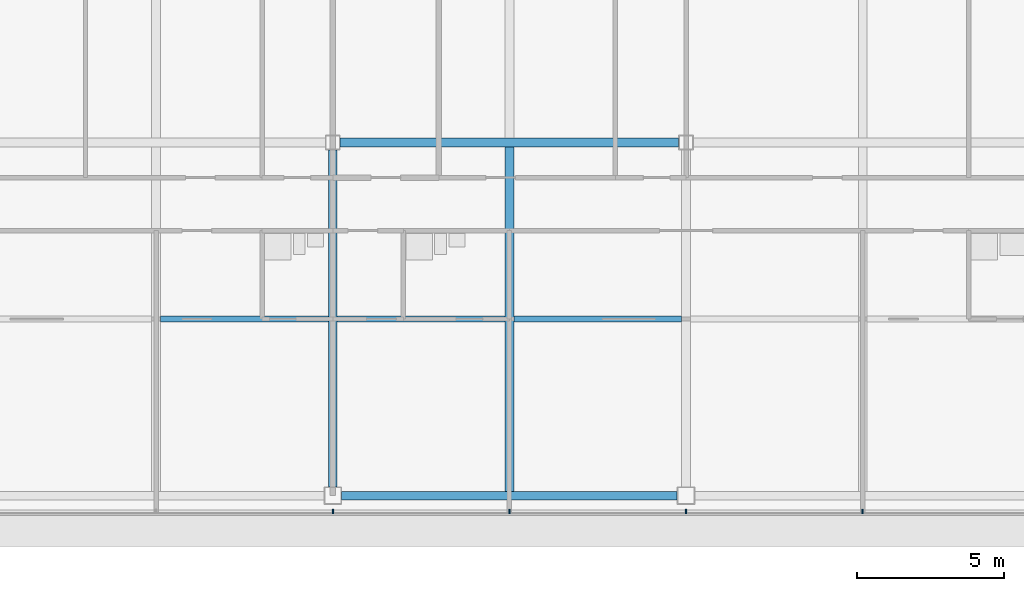
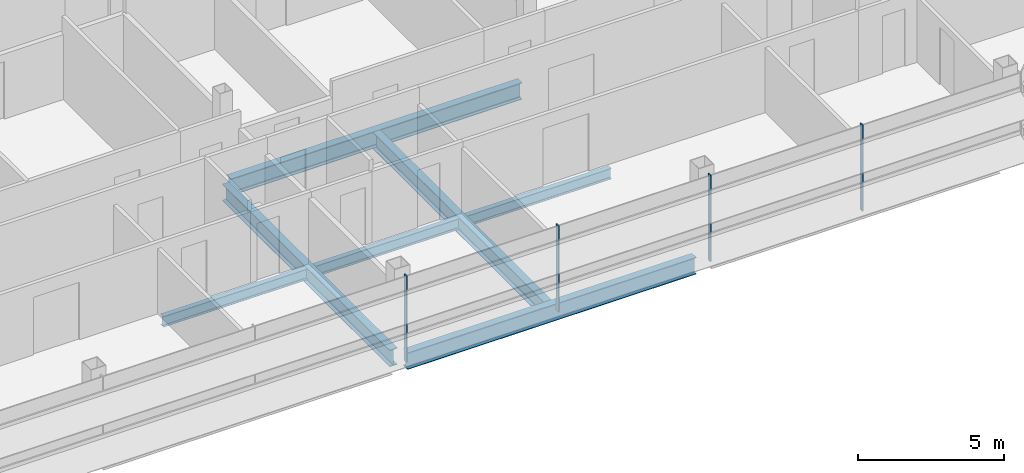
# One storey, part 9 of 28: 7 beams, 4 members, 1 element without a shape of its own.
"""IFC4 building model written with IfcOpenShell, lengths in metres."""

import ifcopenshell
import ifcopenshell.guid

model = None  # the IFC model being written
_history = None  # IfcOwnerHistory: only IFC2X3 demands one
_inside = {}  # id of a spatial element -> (the spatial element, [elements in it])
_under = {}  # id of a project, library or spatial element -> (it, [spatial elements below it])
_declared = {}  # id of a project -> (the project, [libraries it declares])
_typed = {}  # id of a type object -> (the type object, [elements of that type])
_made_of = {}  # id of a material, layer set ... -> (it, [elements and type objects made of it])


def new_model(schema):
    """Start an empty IFC model of exactly this schema.

    Asked for "IFC4X3", IfcOpenShell would pick the latest addendum, in which some entities
    have other attributes; the version numbers below select the first issue.
    IFC2X3 requires an IfcOwnerHistory on every rooted entity: one is made here for all.
    """
    global model, _history
    if schema == "IFC4X3":
        model = ifcopenshell.file(schema_version=(4, 3, 0, 0))
    else:
        model = ifcopenshell.file(schema=schema)
    _inside.clear()
    _under.clear()
    _declared.clear()
    _typed.clear()
    _made_of.clear()
    _history = None
    if model.schema == "IFC2X3":
        org = make("IfcOrganization", Name="unknown")
        user = make(
            "IfcPersonAndOrganization",
            ThePerson=make("IfcPerson", FamilyName="unknown"),
            TheOrganization=org,
        )
        app = make(
            "IfcApplication",
            ApplicationDeveloper=org,
            Version="unknown",
            ApplicationFullName="unknown",
            ApplicationIdentifier="unknown",
        )
        _history = make(
            "IfcOwnerHistory",
            OwningUser=user,
            OwningApplication=app,
            ChangeAction="ADDED",
            CreationDate=0,
        )
    return model


def make(cls, **values):
    """One entity of the class cls with the attributes given. An attribute that is None is left unset."""
    return model.create_entity(
        cls, **{name: value for name, value in values.items() if value is not None}
    )


def rooted(cls, **values):
    """An entity with a GlobalId (a new one), such as an element, a storey or a relation."""
    return make(cls, GlobalId=ifcopenshell.guid.new(), OwnerHistory=_history, **values)


def si_unit(unit_type, name, prefix=None):
    """IfcSIUnit, for example si_unit("LENGTHUNIT", "METRE", prefix="MILLI")."""
    return make("IfcSIUnit", UnitType=unit_type, Prefix=prefix, Name=name)


def assignment(units):
    """IfcUnitAssignment: the units of a project."""
    return None if units is None else make("IfcUnitAssignment", Units=units)


def point(xyz):
    """IfcCartesianPoint."""
    return None if xyz is None else make("IfcCartesianPoint", Coordinates=xyz)


def direction(xyz):
    """IfcDirection."""
    return None if xyz is None else make("IfcDirection", DirectionRatios=xyz)


def frame(location, z_axis=None, x_axis=None):
    """IfcAxis2Placement3D, a coordinate frame: its origin and axes. An axis left out is left unset."""
    return make(
        "IfcAxis2Placement3D",
        Location=point(location),
        Axis=direction(z_axis),
        RefDirection=direction(x_axis),
    )


def frame_2d(location, x_axis=None):
    """IfcAxis2Placement2D, a coordinate frame in the plane: its origin and x axis."""
    return make(
        "IfcAxis2Placement2D", Location=point(location), RefDirection=direction(x_axis)
    )


def origin():
    """The frame at (0, 0, 0) with its axes left unset."""
    return frame((0.0, 0.0, 0.0))


def origin_2d():
    """The frame at (0, 0) in the plane with its x axis left unset."""
    return frame_2d((0.0, 0.0))


def place(relative_to, where):
    """IfcLocalPlacement: puts the frame where relative to a parent placement (None: the world)."""
    return make(
        "IfcLocalPlacement", PlacementRelTo=relative_to, RelativePlacement=where
    )


def context(
    kind, dimensions, precision=None, world=None, true_north=None, identifier=None
):
    """IfcGeometricRepresentationContext, for example the 3D "Model" context."""
    return make(
        "IfcGeometricRepresentationContext",
        ContextIdentifier=identifier,
        ContextType=kind,
        CoordinateSpaceDimension=dimensions,
        Precision=precision,
        WorldCoordinateSystem=world,
        TrueNorth=true_north,
    )


def subcontext(parent, identifier, kind, view, scale=None):
    """IfcGeometricRepresentationSubContext, for example "Body" below "Model"."""
    return make(
        "IfcGeometricRepresentationSubContext",
        ContextIdentifier=identifier,
        ContextType=kind,
        ParentContext=parent,
        TargetScale=scale,
        TargetView=view,
    )


def project(units=None, contexts=None):
    """IfcProject with its units and contexts."""
    return rooted(
        "IfcProject",
        Name="project",
        RepresentationContexts=contexts,
        UnitsInContext=assignment(units),
    )


def spatial(cls, under=None, at=None, **own):
    """A site, building, storey or space (cls), placed at a placement, below another one or the project."""
    s = rooted(cls, ObjectPlacement=at, **own)
    if under is not None:
        _under.setdefault(under.id(), (under, []))[1].append(s)
    return s


def profile(cls, at=None, kind="AREA", **sizes):
    """A parametric profile (cls). Its sizes go by their IFC names, for example OverallWidth=200.0."""
    return make(cls, ProfileType=kind, Position=at, **sizes)


def rectangle(**sizes):
    """IfcRectangleProfileDef."""
    return profile("IfcRectangleProfileDef", **sizes)


def i_section(**sizes):
    """IfcIShapeProfileDef."""
    return profile("IfcIShapeProfileDef", **sizes)


def extrude(swept, where, along, depth):
    """IfcExtrudedAreaSolid: the profile swept, set in the frame where, extruded along a direction by depth."""
    return make(
        "IfcExtrudedAreaSolid",
        SweptArea=swept,
        Position=where,
        ExtrudedDirection=direction(along),
        Depth=depth,
    )


def shape(context_of_items, identifier, shape_type, items):
    """IfcShapeRepresentation: the items that make up one representation, for example the "Body"."""
    return make(
        "IfcShapeRepresentation",
        ContextOfItems=context_of_items,
        RepresentationIdentifier=identifier,
        RepresentationType=shape_type,
        Items=items,
    )


def material(Name=None, Category=None):
    """IfcMaterial."""
    return make("IfcMaterial", Name=Name, Category=Category)


def material_profile(
    of_material, cross_section, Name=None, Category=None, Priority=None
):
    """IfcMaterialProfile: a cross section and its material."""
    return make(
        "IfcMaterialProfile",
        Name=Name,
        Material=of_material,
        Profile=cross_section,
        Priority=Priority,
        Category=Category,
    )


def profile_set(profiles, Name=None, composite=None):
    """IfcMaterialProfileSet."""
    return make(
        "IfcMaterialProfileSet",
        Name=Name,
        MaterialProfiles=profiles,
        CompositeProfile=composite,
    )


def made_of(thing, what):
    """Note that an element or type object is made of a material, layer set ...; save() writes the relation."""
    if what is not None:
        _made_of.setdefault(what.id(), (what, []))[1].append(thing)
    return thing


def type_object(cls, material=None, **own):
    """A type object (cls), such as IfcWallType, which elements share."""
    return made_of(rooted(cls, **own), material)


def element(
    cls,
    number,
    at=None,
    inside=None,
    cuts=None,
    type_object=None,
    material=None,
    context=None,
    identifier="Body",
    shape_type=None,
    held_by="IfcProductDefinitionShape",
    body=None,
    shapes=None,
    **own,
):
    """One element of the class cls, such as IfcWall. Its Tag is "e" and its number.

    at: its placement. inside: the storey or other place that contains it. cuts: it is an
    opening in that element (IfcRelVoidsElement). A single representation is given by context,
    identifier, shape_type and body (its items); several are given by shapes. held_by: the class
    of the entity that holds the representations. save() writes the other relations.
    """
    e = rooted(cls, Tag="e%d" % number, ObjectPlacement=at, **own)
    if body is not None:
        shapes = [shape(context, identifier, shape_type, body)]
    if shapes is not None:
        e.Representation = make(held_by, Representations=shapes)
    if inside is not None:
        _inside.setdefault(inside.id(), (inside, []))[1].append(e)
    if cuts is not None:
        rooted(
            "IfcRelVoidsElement", RelatingBuildingElement=cuts, RelatedOpeningElement=e
        )
    if type_object is not None:
        _typed.setdefault(type_object.id(), (type_object, []))[1].append(e)
    return made_of(e, material)


def aggregate(whole, parts):
    """IfcRelAggregates: a whole, such as a stair, and the parts it consists of."""
    return rooted("IfcRelAggregates", RelatingObject=whole, RelatedObjects=parts)


def save(model, path):
    """Write the relations noted so far, then the file.

    IfcRelAggregates (storeys below a building ...), IfcRelContainedInSpatialStructure (elements
    in a storey), IfcRelDefinesByType, IfcRelAssociatesMaterial and IfcRelDeclares: one each for
    every whole, place, type object, material and project.
    """
    for whole, parts in _under.values():
        aggregate(whole, parts)
    for where, things in _inside.values():
        rooted(
            "IfcRelContainedInSpatialStructure",
            RelatedElements=things,
            RelatingStructure=where,
        )
    for kind, things in _typed.values():
        rooted("IfcRelDefinesByType", RelatedObjects=things, RelatingType=kind)
    for what, things in _made_of.values():
        rooted("IfcRelAssociatesMaterial", RelatedObjects=things, RelatingMaterial=what)
    for by, libraries in _declared.values():
        rooted("IfcRelDeclares", RelatingContext=by, RelatedDefinitions=libraries)
    model.write(path)


model = new_model("IFC4")

# Units and contexts
model_context = context("Model", 3, precision=1e-05, world=origin(), true_north=direction((0.0, 1.0)))
body_context = subcontext(model_context, "Body", "Model", "MODEL_VIEW")
ifc_project = project(units=[si_unit("LENGTHUNIT", "METRE"), si_unit("AREAUNIT", "SQUARE_METRE"), si_unit("VOLUMEUNIT", "CUBIC_METRE"), si_unit("PLANEANGLEUNIT", "RADIAN"), si_unit("MASSUNIT", "GRAM", prefix="KILO")], contexts=[model_context])

# Site, building, storey
site_placement = place(None, origin())
site = spatial("IfcSite", under=ifc_project, at=site_placement, CompositionType="ELEMENT")
building_placement = place(site_placement, origin())
building = spatial("IfcBuilding", under=site, at=building_placement, Name="Sorahane Residences", CompositionType="ELEMENT")
storey_placement = place(building_placement, frame((0.0, 0.0, 270.199951171875)))
storey = spatial("IfcBuildingStorey", under=building, at=storey_placement, Name="L64", CompositionType="ELEMENT", Elevation=270.199951171875)

# Curtain wall, members
ifc_material_1 = material(Name="Dark low-e glass and black anodised aluminium", Category="aluminium")
curtain_wall_type = type_object("IfcCurtainWallType", Name="Curtain wall CW-1 Typical unitised wall", PredefinedType="NOTDEFINED", material=ifc_material_1)
curtain_wall_placement = place(storey_placement, origin())
curtain_wall = element("IfcCurtainWall", 1, at=curtain_wall_placement, inside=storey, type_object=curtain_wall_type, Name="CW-1 curtain wall L64 S1", PredefinedType="NOTDEFINED")
ifc_material_2 = material(Name="Black anodised aluminium", Category="aluminium")
ifc_material_profile_1 = material_profile(ifc_material_2, rectangle(XDim=0.159912109375, YDim=0.050048828125, at=origin_2d()), Name="Curtain wall mullion CW-1 black anodised aluminium 50x160")
ifc_profile_set_1 = profile_set([ifc_material_profile_1], Name="Black anodised aluminium")
member_type = type_object("IfcMemberType", Name="Curtain wall mullion CW-1 black anodised aluminium 50x160", PredefinedType="MULLION", material=ifc_profile_set_1)
member_1_placement = place(storey_placement, frame((24.0, -0.5400390625, -0.179931640625), z_axis=(0.0, 0.0, 1.0), x_axis=(0.0, -1.0, 0.0)))
member_1 = element("IfcMember", 2, at=member_1_placement, type_object=member_type, Name="CW-1 mullion L64 S1.6", PredefinedType="MULLION", context=body_context, shape_type="SweptSolid", body=[
    extrude(rectangle(XDim=0.159912109375, YDim=0.050048828125, at=origin_2d()), origin(), (0.0, 0.0, 1.0), 3.60009765625),
])
member_2_placement = place(storey_placement, frame((30.0, -0.5400390625, -0.179931640625), z_axis=(0.0, 0.0, 1.0), x_axis=(0.0, -1.0, 0.0)))
member_2 = element("IfcMember", 3, at=member_2_placement, type_object=member_type, Name="CW-1 mullion L64 S1.7", PredefinedType="MULLION", context=body_context, shape_type="SweptSolid", body=[
    extrude(rectangle(XDim=0.159912109375, YDim=0.050048828125, at=origin_2d()), origin(), (0.0, 0.0, 1.0), 3.60009765625),
])
member_3_placement = place(storey_placement, frame((36.0, -0.5400390625, -0.179931640625), z_axis=(0.0, 0.0, 1.0), x_axis=(0.0, -1.0, 0.0)))
member_3 = element("IfcMember", 4, at=member_3_placement, type_object=member_type, Name="CW-1 mullion L64 S1.8", PredefinedType="MULLION", context=body_context, shape_type="SweptSolid", body=[
    extrude(rectangle(XDim=0.159912109375, YDim=0.050048828125, at=origin_2d()), origin(), (0.0, 0.0, 1.0), 3.60009765625),
])
member_4_placement = place(storey_placement, frame((42.0, -0.5400390625, -0.179931640625), z_axis=(0.0, 0.0, 1.0), x_axis=(0.0, -1.0, 0.0)))
member_4 = element("IfcMember", 5, at=member_4_placement, type_object=member_type, Name="CW-1 mullion L64 S1.9", PredefinedType="MULLION", context=body_context, shape_type="SweptSolid", body=[
    extrude(rectangle(XDim=0.159912109375, YDim=0.050048828125, at=origin_2d()), origin(), (0.0, 0.0, 1.0), 3.60009765625),
])
aggregate(curtain_wall, [member_1, member_2, member_3, member_4])

# Beams
ifc_material_3 = material(Name="Steel Q355B", Category="steel")
ifc_material_profile_2 = material_profile(ifc_material_3, i_section(OverallWidth=0.199951171875, OverallDepth=0.449951171875, WebThickness=0.009033203125, FlangeThickness=0.013916015625, FilletRadius=0.02001953125, at=origin_2d()), Name="HN 450x200x9x14")
ifc_profile_set_2 = profile_set([ifc_material_profile_2], Name="Steel Q355B")
beam_type_1 = type_object("IfcBeamType", Name="Steel floor beam HN 450x200x9x14 Q355B", PredefinedType="BEAM", material=ifc_profile_set_2)
for number, where, z_axis, x_axis, name in (
    (6, (18.14990234375, 6.0, -0.405029296875), (1.0, 0.0, 0.0), (0.0, 1.0, 0.0), "Beam L64 072"),
    (7, (24.14990234375, 6.0, -0.405029296875), (1.0, 0.0, 0.0), (0.0, 1.0, 0.0), "Beam L64 073"),
    (8, (30.14990234375, 6.0, -0.405029296875), (1.0, 0.0, 0.0), (0.0, 1.0, 0.0), "Beam L64 074"),
):
    element("IfcBeam", number, at=place(storey_placement, frame(where, z_axis=z_axis, x_axis=x_axis)), inside=storey, type_object=beam_type_1, Name=name, PredefinedType="BEAM", context=body_context, shape_type="SweptSolid", body=[
        extrude(i_section(OverallWidth=0.199951171875, OverallDepth=0.449951171875, WebThickness=0.009033203125, FlangeThickness=0.013916015625, FilletRadius=0.02001953125, at=origin_2d()), origin(), (0.0, 0.0, 1.0), 5.7001953125),
    ])
ifc_material_4 = material(Name="Steel Q355B", Category="steel")
ifc_material_profile_3 = material_profile(ifc_material_4, i_section(OverallWidth=0.300048828125, OverallDepth=0.699951171875, WebThickness=0.012939453125, FlangeThickness=0.02392578125, FilletRadius=0.028076171875, at=origin_2d()), Name="HN 700x300x13x24")
ifc_profile_set_3 = profile_set([ifc_material_profile_3], Name="Steel Q355B")
beam_type_2 = type_object("IfcBeamType", Name="Steel floor beam HN 700x300x13x24 Q355B", PredefinedType="BEAM", material=ifc_profile_set_3)
beam_1_placement = place(storey_placement, frame((24.300048828125, 0.0, -0.530029296875), z_axis=(1.0, 0.0, 0.0), x_axis=(0.0, 1.0, 0.0)))
element("IfcBeam", 9, at=beam_1_placement, inside=storey, type_object=beam_type_2, Name="Beam L64 003", PredefinedType="BEAM", context=body_context, shape_type="SweptSolid", body=[
    extrude(i_section(OverallWidth=0.300048828125, OverallDepth=0.699951171875, WebThickness=0.012939453125, FlangeThickness=0.02392578125, FilletRadius=0.028076171875, at=origin_2d()), origin(), (0.0, 0.0, 1.0), 11.39990234375),
])
beam_2_placement = place(storey_placement, frame((24.25, 12.0, -0.530029296875), z_axis=(1.0, 0.0, 0.0), x_axis=(0.0, 1.0, 0.0)))
element("IfcBeam", 10, at=beam_2_placement, inside=storey, type_object=beam_type_2, Name="Beam L64 008", PredefinedType="BEAM", context=body_context, shape_type="SweptSolid", body=[
    extrude(i_section(OverallWidth=0.300048828125, OverallDepth=0.699951171875, WebThickness=0.012939453125, FlangeThickness=0.02392578125, FilletRadius=0.028076171875, at=origin_2d()), origin(), (0.0, 0.0, 1.0), 11.5),
])
beam_3_placement = place(storey_placement, frame((24.0, 0.300048828125, -0.530029296875), z_axis=(0.0, 1.0, 0.0), x_axis=(-1.0, 0.0, 0.0)))
element("IfcBeam", 11, at=beam_3_placement, inside=storey, type_object=beam_type_2, Name="Beam L64 042", PredefinedType="BEAM", context=body_context, shape_type="SweptSolid", body=[
    extrude(i_section(OverallWidth=0.300048828125, OverallDepth=0.699951171875, WebThickness=0.012939453125, FlangeThickness=0.02392578125, FilletRadius=0.028076171875, at=origin_2d()), origin(), (0.0, 0.0, 1.0), 11.449951171875),
])
beam_4_placement = place(storey_placement, frame((30.0, 0.14990234375, -0.530029296875), z_axis=(0.0, 1.0, 0.0), x_axis=(-1.0, 0.0, 0.0)))
element("IfcBeam", 12, at=beam_4_placement, inside=storey, type_object=beam_type_2, Name="Beam L64 044", PredefinedType="BEAM", context=body_context, shape_type="SweptSolid", body=[
    extrude(i_section(OverallWidth=0.300048828125, OverallDepth=0.699951171875, WebThickness=0.012939453125, FlangeThickness=0.02392578125, FilletRadius=0.028076171875, at=origin_2d()), origin(), (0.0, 0.0, 1.0), 11.7001953125),
])

save(model, "model.ifc")
